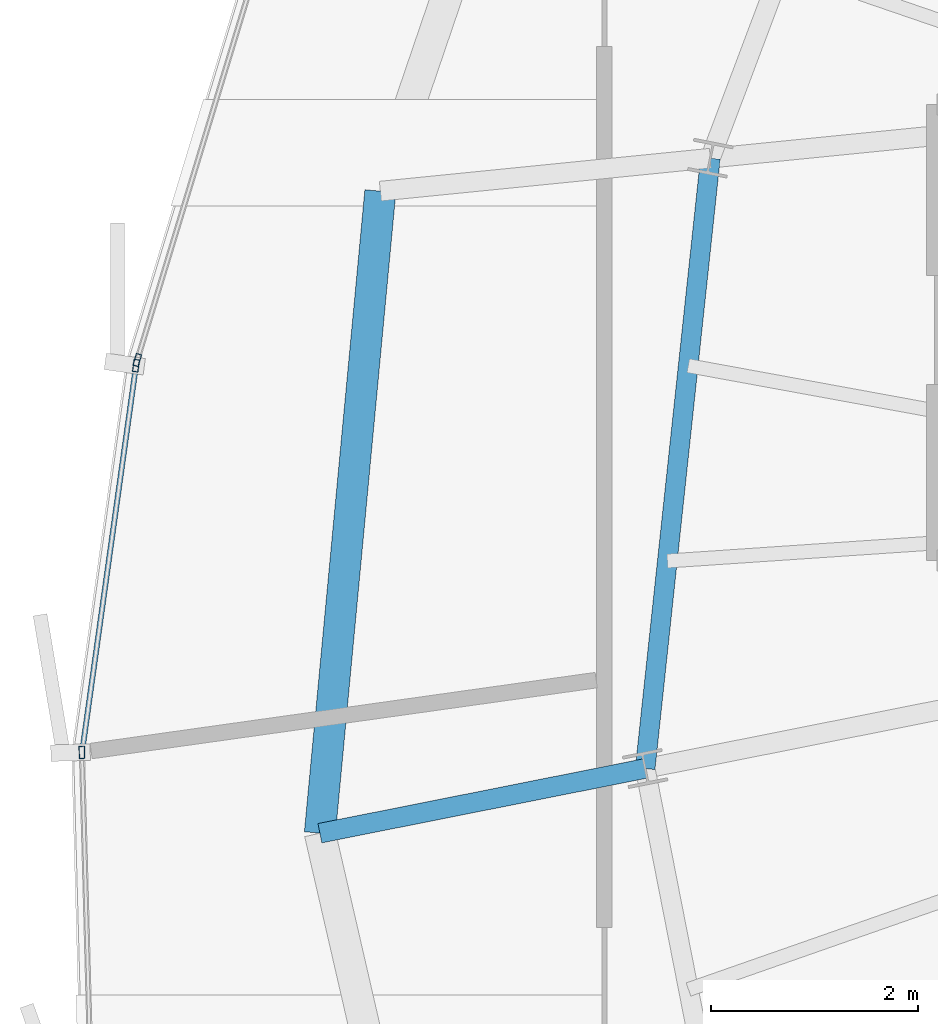
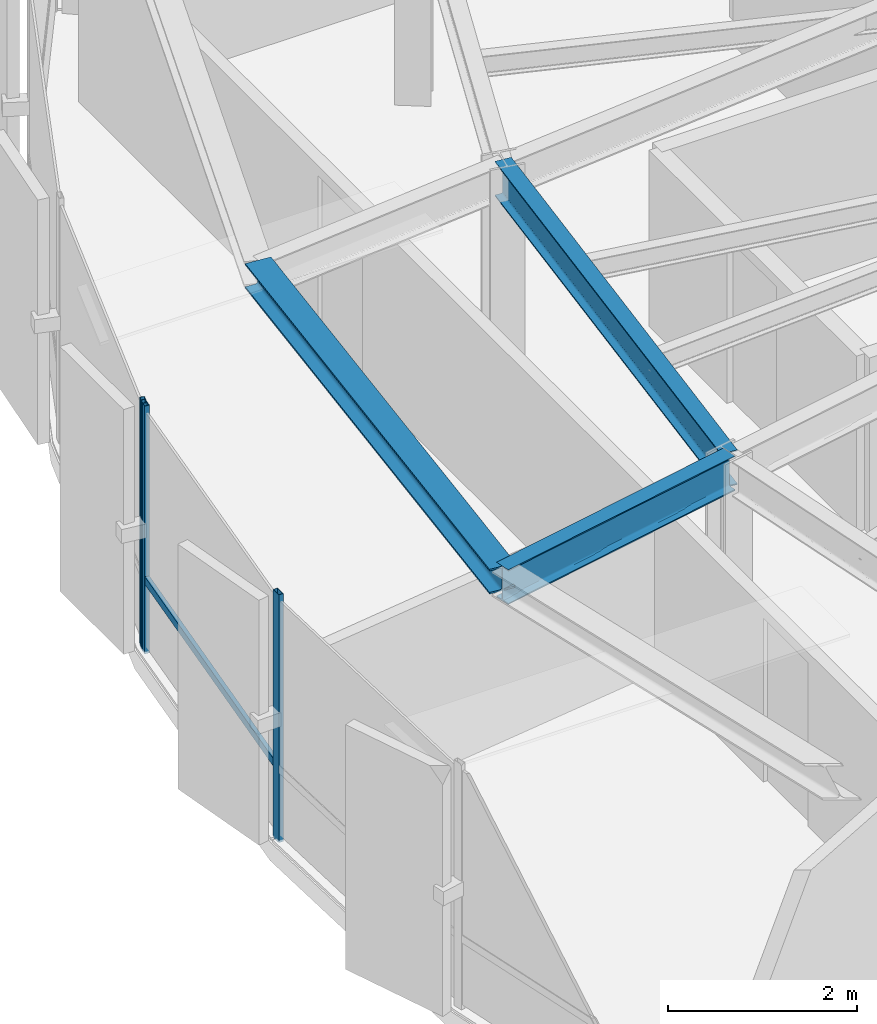
# One storey, part 9 of 35: 4 members, 3 beams, 2 elements without a shape of their own.
"""IFC4 building model written with IfcOpenShell, lengths in metres."""

from ifc_helpers import new_model, si_unit, direction, frame, origin, origin_2d, place, context, subcontext, project, spatial, hollow_rectangle, i_section, extrude, source, transform, mapped, material, layer, layer_set, material_profile, profile_set, type_object, element, aggregate, save


model = new_model("IFC4")

# Units and contexts
model_context = context("Model", 3, precision=1e-05, world=origin(), true_north=direction((0.0, 1.0)))
body_context = subcontext(model_context, "Body", "Model", "MODEL_VIEW")
ifc_project = project(units=[si_unit("LENGTHUNIT", "METRE"), si_unit("AREAUNIT", "SQUARE_METRE"), si_unit("VOLUMEUNIT", "CUBIC_METRE"), si_unit("PLANEANGLEUNIT", "RADIAN"), si_unit("MASSUNIT", "GRAM", prefix="KILO"), si_unit("THERMODYNAMICTEMPERATUREUNIT", "KELVIN")], contexts=[model_context])

# Site, building, storey
site_placement = place(None, origin())
site = spatial("IfcSite", under=ifc_project, at=site_placement, CompositionType="ELEMENT")
building_placement = place(site_placement, origin())
building = spatial("IfcBuilding", under=site, at=building_placement, Name="Kethvar Cultural Tower", CompositionType="ELEMENT")
storey_placement = place(building_placement, frame((0.0, 0.0, 245.64990234375)))
storey = spatial("IfcBuildingStorey", under=building, at=storey_placement, Name="L64", CompositionType="ELEMENT", Elevation=245.64990234375)

# Beams
ifc_material_1 = material(Name="Steel S355J2", Category="steel")
ifc_material_profile_1 = material_profile(ifc_material_1, i_section(OverallWidth=0.18994140625, OverallDepth=0.449951171875, WebThickness=0.009521484375, FlangeThickness=0.0146484375, FilletRadius=0.02099609375, at=origin_2d()), Name="Steel S355J2 — IPE450")
ifc_profile_set_1 = profile_set([ifc_material_profile_1], Name="Steel S355J2 — IPE450")
beam_type_1 = type_object("IfcBeamType", Name="BM-IPE450", PredefinedType="BEAM", material=ifc_profile_set_1)
shared_shape_1 = source(origin(), body_context, "Body", "SweptSolid", [
    extrude(i_section(OverallWidth=0.18994140625, OverallDepth=0.449951171875, WebThickness=0.009521484375, FlangeThickness=0.0146484375, FilletRadius=0.02099609375, at=origin_2d()), origin(), (0.0, 0.0, 1.0), 3.2001953125),
])
beam_1_placement = place(storey_placement, frame((31.68310546875, 24.79296875, 2.983154296875), z_axis=(-0.980788453702, -0.195074368086, 0.0), x_axis=(0.195074368086, -0.980788453702, 0.0)))
element("IfcBeam", 1, at=beam_1_placement, inside=storey, type_object=beam_type_1, Name="L64 Perimeter Cantilever Beam RC-09", PredefinedType="BEAM", context=body_context, shape_type="MappedRepresentation", body=[
    mapped(shared_shape_1, transform((0.0, 0.0, 0.0), scale=1.0)),
])
shared_shape_2 = source(origin(), body_context, "Body", "SweptSolid", [
    extrude(i_section(OverallWidth=0.18994140625, OverallDepth=0.449951171875, WebThickness=0.009521484375, FlangeThickness=0.0146484375, FilletRadius=0.02099609375, at=origin_2d()), origin(), (0.0, 0.0, 1.0), 5.92236328125),
])
beam_2_placement = place(storey_placement, frame((32.3125, 30.681884765625, 2.983154296875), z_axis=(-0.106272578913, -0.994337034899, 0.0), x_axis=(0.994337034899, -0.106272578913, 0.0)))
element("IfcBeam", 2, at=beam_2_placement, inside=storey, type_object=beam_type_1, Name="L64 Column Ring Tie Beam CR-08", PredefinedType="BEAM", context=body_context, shape_type="MappedRepresentation", body=[
    mapped(shared_shape_2, transform((0.0, 0.0, 0.0), scale=1.0)),
])
ifc_material_profile_2 = material_profile(ifc_material_1, i_section(OverallWidth=0.300048828125, OverallDepth=0.320068359375, WebThickness=0.011474609375, FlangeThickness=0.0205078125, FilletRadius=0.027099609375, at=origin_2d()), Name="Steel S355J2 — HEB320")
ifc_profile_set_2 = profile_set([ifc_material_profile_2], Name="Steel S355J2 — HEB320")
beam_type_2 = type_object("IfcBeamType", Name="BM-SP320", PredefinedType="SPANDREL", material=ifc_profile_set_2)
shared_shape_3 = source(origin(), body_context, "Body", "SweptSolid", [
    extrude(i_section(OverallWidth=0.300048828125, OverallDepth=0.320068359375, WebThickness=0.011474609375, FlangeThickness=0.0205078125, FilletRadius=0.027099609375, at=origin_2d()), origin(), (0.0, 0.0, 1.0), 6.222412109375),
])
beam_3_placement = place(storey_placement, frame((29.128173828125, 30.36376953125, 3.048095703125), z_axis=(-0.093811063392, -0.995590018223, 0.0), x_axis=(0.995590018223, -0.093811063392, 0.0)))
element("IfcBeam", 3, at=beam_3_placement, inside=storey, type_object=beam_type_2, Name="L64 Perimeter Spandrel Beam SP-08", PredefinedType="SPANDREL", context=body_context, shape_type="MappedRepresentation", body=[
    mapped(shared_shape_3, transform((0.0, 0.0, 0.0), scale=1.0)),
])

# Curtain wall, member
ifc_material_2 = material(Name="Aluminium 6063-T6", Category="aluminium")
ifc_layer = layer(ifc_material_2, 0.179931640625, Name="Aluminium 6063-T6", Category="aluminium")
ifc_layer_set = layer_set([ifc_layer], Name="Aluminium 6063-T6 (180 mm)")
curtain_wall_type = type_object("IfcCurtainWallType", Name="CW-SYS-05-Z56", PredefinedType="NOTDEFINED", material=ifc_layer_set)
curtain_wall_1_placement = place(storey_placement, origin())
curtain_wall_1 = element("IfcCurtainWall", 4, at=curtain_wall_1_placement, inside=storey, type_object=curtain_wall_type, Name="L64 Curtain Wall Run 02", PredefinedType="NOTDEFINED")
ifc_material_profile_3 = material_profile(ifc_material_2, hollow_rectangle(XDim=0.054931640625, YDim=0.1201171875, WallThickness=0.00390625, at=origin_2d()), Name="Aluminium 6063-T6 — RHS120x55x4")
ifc_profile_set_3 = profile_set([ifc_material_profile_3], Name="Aluminium 6063-T6 — RHS120x55x4")
member_type_1 = type_object("IfcMemberType", Name="CW-SYS-05-Z56-MUL", PredefinedType="MULLION", material=ifc_profile_set_3)
shared_shape_4 = source(origin(), body_context, "Body", "SweptSolid", [
    extrude(hollow_rectangle(XDim=0.054931640625, YDim=0.1201171875, WallThickness=0.00390625, at=origin_2d()), origin(), (0.0, 0.0, 1.0), 3.210205078125),
])
member_1_placement = place(storey_placement, frame((26.782470703125, 28.734375, 0.0), z_axis=(0.0, 0.0, 1.0), x_axis=(0.956914999972, -0.290368184947, 0.0)))
member_1 = element("IfcMember", 5, at=member_1_placement, type_object=member_type_1, Name="CW-L64-R02 Mullion 7", PredefinedType="MULLION", context=body_context, shape_type="MappedRepresentation", body=[
    mapped(shared_shape_4, transform((0.0, 0.0, 0.0), scale=1.0)),
])
aggregate(curtain_wall_1, [member_1])

# Curtain wall, members
curtain_wall_2_placement = place(storey_placement, origin())
curtain_wall_2 = element("IfcCurtainWall", 6, at=curtain_wall_2_placement, inside=storey, type_object=curtain_wall_type, Name="L64 Curtain Wall Run 03", PredefinedType="NOTDEFINED")
member_2_placement = place(storey_placement, frame((26.7705078125, 28.679931640625, 0.0), z_axis=(0.0, 0.0, 1.0), x_axis=(0.990403621343, -0.138205162096, 0.0)))
member_2 = element("IfcMember", 7, at=member_2_placement, type_object=member_type_1, Name="CW-L64-R03 Mullion 1", PredefinedType="MULLION", context=body_context, shape_type="MappedRepresentation", body=[
    mapped(shared_shape_4, transform((0.0, 0.0, 0.0), scale=1.0)),
])
member_3_placement = place(storey_placement, frame((26.248291015625, 24.948974609375, 0.0), z_axis=(0.0, 0.0, 1.0), x_axis=(0.999636927756, 0.026944622229, 0.0)))
member_3 = element("IfcMember", 8, at=member_3_placement, type_object=member_type_1, Name="CW-L64-R03 Mullion 2", PredefinedType="MULLION", context=body_context, shape_type="MappedRepresentation", body=[
    mapped(shared_shape_4, transform((0.0, 0.0, 0.0), scale=1.0)),
])
ifc_material_profile_4 = material_profile(ifc_material_2, hollow_rectangle(XDim=0.050048828125, YDim=0.10009765625, WallThickness=0.00390625, at=origin_2d()), Name="Aluminium 6063-T6 — RHS100x50x4")
ifc_profile_set_4 = profile_set([ifc_material_profile_4], Name="Aluminium 6063-T6 — RHS100x50x4")
member_type_2 = type_object("IfcMemberType", Name="CW-SYS-05-Z56-TRN", PredefinedType="USERDEFINED", material=ifc_profile_set_4)
shared_shape_5 = source(origin(), body_context, "Body", "SweptSolid", [
    extrude(hollow_rectangle(XDim=0.050048828125, YDim=0.10009765625, WallThickness=0.00390625, at=origin_2d()), origin(), (0.0, 0.0, 1.0), 3.740478515625),
])
member_4_placement = place(storey_placement, frame((26.77001953125, 28.67626953125, 0.9501953125), z_axis=(-0.138240698929, -0.990398661732, 0.0), x_axis=(0.990398661732, -0.138240698929, 0.0)))
member_4 = element("IfcMember", 9, at=member_4_placement, type_object=member_type_2, Name="CW-L64-R03 Transom 1", ObjectType="TRANSOM", PredefinedType="USERDEFINED", context=body_context, shape_type="MappedRepresentation", body=[
    mapped(shared_shape_5, transform((0.0, 0.0, 0.0), scale=1.0)),
])
aggregate(curtain_wall_2, [member_2, member_3, member_4])

save(model, "model.ifc")
